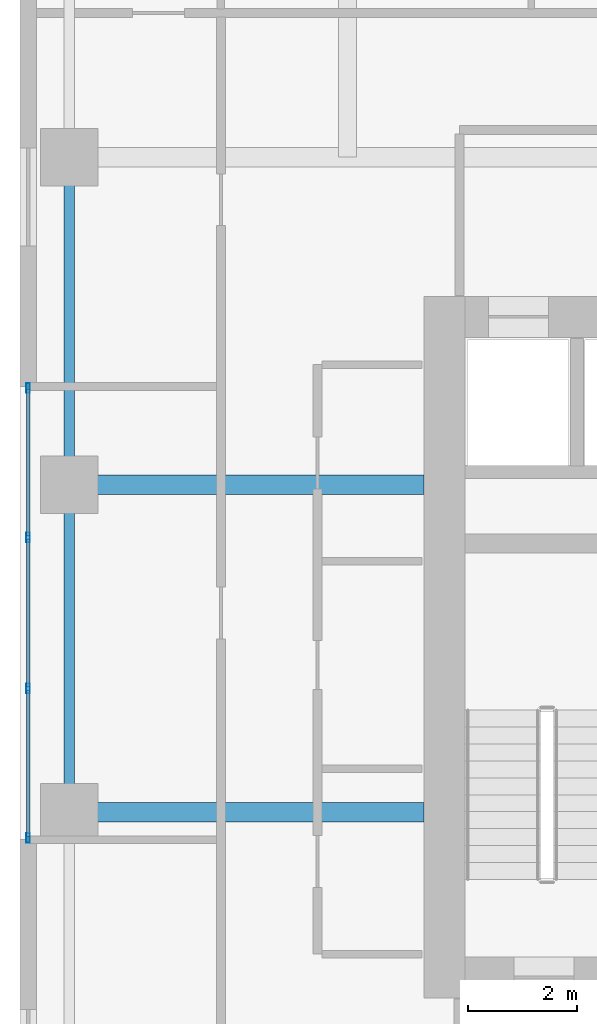
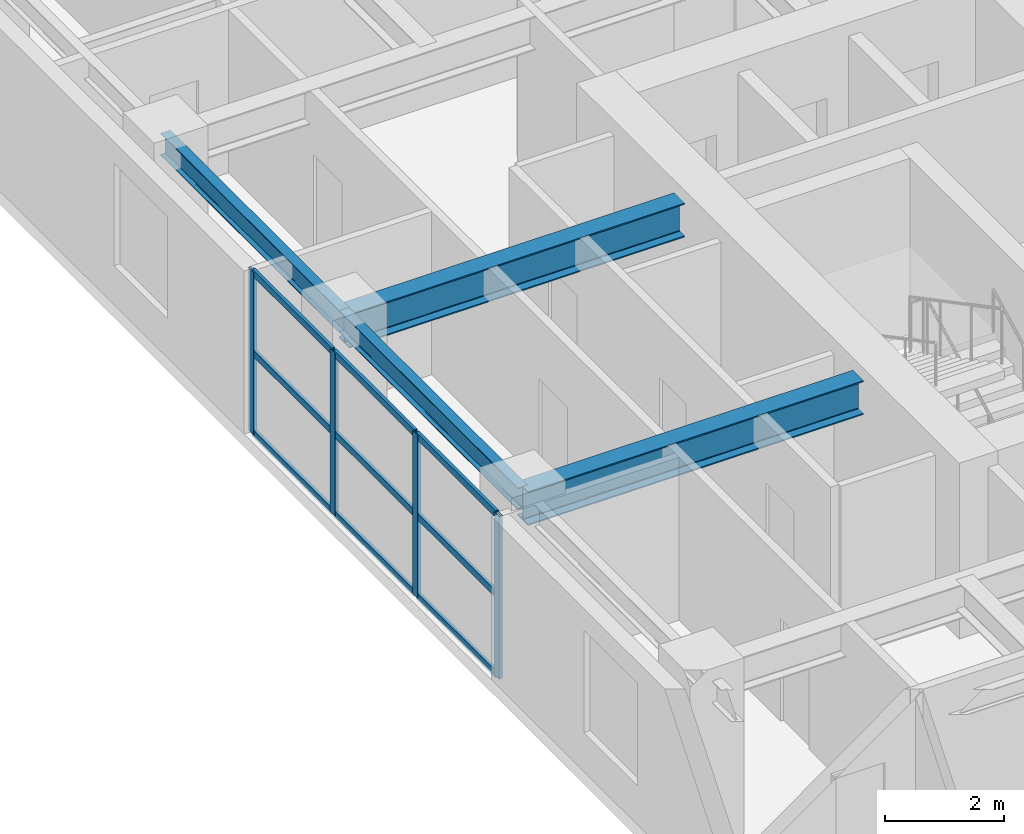
# One storey, part 2 of 13: 13 members, 4 beams, 1 element without a shape of its own.
"""IFC4 building model written with IfcOpenShell, lengths in metres."""

from ifc_helpers import new_model, si_unit, direction, frame, origin, origin_2d, place, context, subcontext, project, spatial, hollow_rectangle, i_section, extrude, source, transform, mapped, material, layer, layer_set, material_profile, profile_set, type_object, element, aggregate, save


model = new_model("IFC4")

# Units and contexts
model_context = context("Model", 3, precision=1e-05, world=origin(), true_north=direction((0.0, 1.0)))
body_context = subcontext(model_context, "Body", "Model", "MODEL_VIEW")
ifc_project = project(units=[si_unit("LENGTHUNIT", "METRE"), si_unit("AREAUNIT", "SQUARE_METRE"), si_unit("VOLUMEUNIT", "CUBIC_METRE"), si_unit("PLANEANGLEUNIT", "RADIAN"), si_unit("MASSUNIT", "GRAM", prefix="KILO")], contexts=[model_context])

# Site, building, storey
site_placement = place(None, origin())
site = spatial("IfcSite", under=ifc_project, at=site_placement, CompositionType="ELEMENT")
building_placement = place(site_placement, origin())
building = spatial("IfcBuilding", under=site, at=building_placement, Name="Khoralis Quay Care Tower", CompositionType="ELEMENT")
storey_placement = place(building_placement, frame((0.0, 0.0, 87.300048828125)))
storey = spatial("IfcBuildingStorey", under=building, at=storey_placement, Name="L22", CompositionType="ELEMENT", Elevation=87.300048828125)

# Beams
ifc_material_1 = material(Name="Steel S355", Category="steel")
ifc_material_profile_1 = material_profile(ifc_material_1, i_section(OverallWidth=0.18994140625, OverallDepth=0.449951171875, WebThickness=0.009521484375, FlangeThickness=0.0146484375, FilletRadius=0.02099609375, at=origin_2d()), Name="Steel S355")
ifc_profile_set_1 = profile_set([ifc_material_profile_1], Name="Steel S355")
beam_type_1 = type_object("IfcBeamType", Name="BM-IPE450", PredefinedType="SPANDREL", material=ifc_profile_set_1)
shared_shape_1 = source(origin(), body_context, "Body", "SweptSolid", [
    extrude(i_section(OverallWidth=0.18994140625, OverallDepth=0.449951171875, WebThickness=0.009521484375, FlangeThickness=0.0146484375, FilletRadius=0.02099609375, at=origin_2d()), origin(), (0.0, 0.0, 1.0), 6.0),
])
for number, where, z_axis, x_axis, name in (
    (1, (0.89990234375, 18.0, 3.114990234375), (0.0, 1.0, 0.0), (-1.0, 0.0, 0.0), "BM-TSP-L22-13"),
    (2, (0.89990234375, 24.0, 3.114990234375), (0.0, 1.0, 0.0), (-1.0, 0.0, 0.0), "BM-TSP-L22-14"),
):
    element("IfcBeam", number, at=place(storey_placement, frame(where, z_axis=z_axis, x_axis=x_axis)), inside=storey, type_object=beam_type_1, Name=name, PredefinedType="SPANDREL", context=body_context, shape_type="MappedRepresentation", body=[
        mapped(shared_shape_1, transform((0.0, 0.0, 0.0), scale=1.0)),
    ])
ifc_material_profile_2 = material_profile(ifc_material_1, i_section(OverallWidth=0.35498046875, OverallDepth=0.695068359375, WebThickness=0.015380859375, FlangeThickness=0.02490234375, FilletRadius=0.02001953125, at=origin_2d()), Name="Steel S355")
ifc_profile_set_2 = profile_set([ifc_material_profile_2], Name="Steel S355")
beam_type_2 = type_object("IfcBeamType", Name="BM-W690X217", PredefinedType="BEAM", material=ifc_profile_set_2)
shared_shape_2 = source(origin(), body_context, "Body", "SweptSolid", [
    extrude(i_section(OverallWidth=0.35498046875, OverallDepth=0.695068359375, WebThickness=0.015380859375, FlangeThickness=0.02490234375, FilletRadius=0.02001953125, at=origin_2d()), origin(), (0.0, 0.0, 1.0), 6.502197265625),
])
for number, where, z_axis, x_axis, name in (
    (3, (0.89990234375, 18.0, 2.992431640625), (1.0, 0.0, 0.0), (0.0, 1.0, 0.0), "BM-TGXW-L22-180"),
    (4, (0.89990234375, 24.0, 2.992431640625), (1.0, 0.0, 0.0), (0.0, 1.0, 0.0), "BM-TGXW-L22-240"),
):
    element("IfcBeam", number, at=place(storey_placement, frame(where, z_axis=z_axis, x_axis=x_axis)), inside=storey, type_object=beam_type_2, Name=name, PredefinedType="BEAM", context=body_context, shape_type="MappedRepresentation", body=[
        mapped(shared_shape_2, transform((0.0, 0.0, 0.0), scale=1.0)),
    ])

# Curtain wall, members
ifc_material_2 = material(Name="Pale anodised aluminium", Category="aluminium")
ifc_layer = layer(ifc_material_2, 0.169921875)
ifc_layer_set = layer_set([ifc_layer], Name="Pale anodised aluminium")
curtain_wall_type = type_object("IfcCurtainWallType", Name="CW-SYS-Z2", PredefinedType="NOTDEFINED", material=ifc_layer_set)
curtain_wall_placement = place(storey_placement, origin())
curtain_wall = element("IfcCurtainWall", 5, at=curtain_wall_placement, inside=storey, type_object=curtain_wall_type, Name="L22 Unitised Curtain Wall CW-L22-P1-E15", PredefinedType="NOTDEFINED")
ifc_material_profile_3 = material_profile(ifc_material_2, hollow_rectangle(XDim=0.06005859375, YDim=0.139892578125, WallThickness=0.00390625, at=origin_2d()), Name="Pale anodised aluminium")
ifc_profile_set_3 = profile_set([ifc_material_profile_3], Name="Pale anodised aluminium")
member_type_1 = type_object("IfcMemberType", Name="CW-TRN-140", PredefinedType="USERDEFINED", material=ifc_profile_set_3)
shared_shape_3 = source(origin(), body_context, "Body", "SweptSolid", [
    extrude(hollow_rectangle(XDim=0.06005859375, YDim=0.139892578125, WallThickness=0.00390625, at=origin_2d()), origin(), (0.0, 0.0, 1.0), 2.6767578125),
])
member_1_placement = place(storey_placement, frame((0.14990234375, 25.739990234375, 0.030029296875), z_axis=(0.0, -1.0, 0.0), x_axis=(1.0, 0.0, 0.0)))
member_1 = element("IfcMember", 6, at=member_1_placement, type_object=member_type_1, Name="CW2 transom 1.1", ObjectType="TRANSOM", PredefinedType="USERDEFINED", context=body_context, shape_type="MappedRepresentation", body=[
    mapped(shared_shape_3, transform((0.0, 0.0, 0.0), scale=1.0)),
])
member_2_placement = place(storey_placement, frame((0.14990234375, 25.739990234375, 1.669921875), z_axis=(0.0, -1.0, 0.0), x_axis=(1.0, 0.0, 0.0)))
member_2 = element("IfcMember", 7, at=member_2_placement, type_object=member_type_1, Name="CW2 transom 1.2", ObjectType="TRANSOM", PredefinedType="USERDEFINED", context=body_context, shape_type="MappedRepresentation", body=[
    mapped(shared_shape_3, transform((0.0, 0.0, 0.0), scale=1.0)),
])
member_3_placement = place(storey_placement, frame((0.14990234375, 25.739990234375, 3.31005859375), z_axis=(0.0, -1.0, 0.0), x_axis=(1.0, 0.0, 0.0)))
member_3 = element("IfcMember", 8, at=member_3_placement, type_object=member_type_1, Name="CW2 transom 1.3", ObjectType="TRANSOM", PredefinedType="USERDEFINED", context=body_context, shape_type="MappedRepresentation", body=[
    mapped(shared_shape_3, transform((0.0, 0.0, 0.0), scale=1.0)),
])
shared_shape_4 = source(origin(), body_context, "Body", "SweptSolid", [
    extrude(hollow_rectangle(XDim=0.06005859375, YDim=0.139892578125, WallThickness=0.00390625, at=origin_2d()), origin(), (0.0, 0.0, 1.0), 2.676513671875),
])
member_4_placement = place(storey_placement, frame((0.14990234375, 20.236572265625, 0.030029296875), z_axis=(0.0, -1.0, 0.0), x_axis=(1.0, 0.0, 0.0)))
member_4 = element("IfcMember", 9, at=member_4_placement, type_object=member_type_1, Name="CW2 transom 3.1", ObjectType="TRANSOM", PredefinedType="USERDEFINED", context=body_context, shape_type="MappedRepresentation", body=[
    mapped(shared_shape_4, transform((0.0, 0.0, 0.0), scale=1.0)),
])
member_5_placement = place(storey_placement, frame((0.14990234375, 20.236572265625, 1.669921875), z_axis=(0.0, -1.0, 0.0), x_axis=(1.0, 0.0, 0.0)))
member_5 = element("IfcMember", 10, at=member_5_placement, type_object=member_type_1, Name="CW2 transom 3.2", ObjectType="TRANSOM", PredefinedType="USERDEFINED", context=body_context, shape_type="MappedRepresentation", body=[
    mapped(shared_shape_4, transform((0.0, 0.0, 0.0), scale=1.0)),
])
member_6_placement = place(storey_placement, frame((0.14990234375, 20.236572265625, 3.31005859375), z_axis=(0.0, -1.0, 0.0), x_axis=(1.0, 0.0, 0.0)))
member_6 = element("IfcMember", 11, at=member_6_placement, type_object=member_type_1, Name="CW2 transom 3.3", ObjectType="TRANSOM", PredefinedType="USERDEFINED", context=body_context, shape_type="MappedRepresentation", body=[
    mapped(shared_shape_4, transform((0.0, 0.0, 0.0), scale=1.0)),
])
ifc_material_profile_4 = material_profile(ifc_material_2, hollow_rectangle(XDim=0.06494140625, YDim=0.179931640625, WallThickness=0.00390625, at=origin_2d()), Name="Pale anodised aluminium")
ifc_profile_set_4 = profile_set([ifc_material_profile_4], Name="Pale anodised aluminium")
member_type_2 = type_object("IfcMemberType", Name="CW-MUL-180", PredefinedType="MULLION", material=ifc_profile_set_4)
shared_shape_5 = source(origin(), body_context, "Body", "SweptSolid", [
    extrude(hollow_rectangle(XDim=0.06494140625, YDim=0.179931640625, WallThickness=0.00390625, at=origin_2d()), origin(), (0.0, 0.0, 1.0), 3.33984375),
])
member_7_placement = place(storey_placement, frame((0.14990234375, 25.77001953125, 0.0), z_axis=(0.0, 0.0, 1.0), x_axis=(1.0, 0.0, 0.0)))
member_7 = element("IfcMember", 12, at=member_7_placement, type_object=member_type_2, Name="CW2 mullion 1", PredefinedType="MULLION", context=body_context, shape_type="MappedRepresentation", body=[
    mapped(shared_shape_5, transform((0.0, 0.0, 0.0), scale=1.0)),
])
member_8_placement = place(storey_placement, frame((0.14990234375, 23.033447265625, 0.0), z_axis=(0.0, 0.0, 1.0), x_axis=(1.0, 0.0, 0.0)))
member_8 = element("IfcMember", 13, at=member_8_placement, type_object=member_type_2, Name="CW2 mullion 2", PredefinedType="MULLION", context=body_context, shape_type="MappedRepresentation", body=[
    mapped(shared_shape_5, transform((0.0, 0.0, 0.0), scale=1.0)),
])
member_9_placement = place(storey_placement, frame((0.14990234375, 20.2666015625, 0.0), z_axis=(0.0, 0.0, 1.0), x_axis=(1.0, 0.0, 0.0)))
member_9 = element("IfcMember", 14, at=member_9_placement, type_object=member_type_2, Name="CW2 mullion 3", PredefinedType="MULLION", context=body_context, shape_type="MappedRepresentation", body=[
    mapped(shared_shape_5, transform((0.0, 0.0, 0.0), scale=1.0)),
])
member_10_placement = place(storey_placement, frame((0.14990234375, 17.530029296875, 0.0), z_axis=(0.0, 0.0, 1.0), x_axis=(1.0, 0.0, 0.0)))
member_10 = element("IfcMember", 15, at=member_10_placement, type_object=member_type_2, Name="CW2 mullion 4", PredefinedType="MULLION", context=body_context, shape_type="MappedRepresentation", body=[
    mapped(shared_shape_5, transform((0.0, 0.0, 0.0), scale=1.0)),
])
shared_shape_6 = source(origin(), body_context, "Body", "SweptSolid", [
    extrude(hollow_rectangle(XDim=0.06005859375, YDim=0.139892578125, WallThickness=0.00390625, at=origin_2d()), origin(), (0.0, 0.0, 1.0), 2.706787109375),
])
member_11_placement = place(storey_placement, frame((0.14990234375, 23.00341796875, 0.030029296875), z_axis=(0.0, -1.0, 0.0), x_axis=(1.0, 0.0, 0.0)))
member_11 = element("IfcMember", 16, at=member_11_placement, type_object=member_type_1, Name="CW2 transom 2.1", ObjectType="TRANSOM", PredefinedType="USERDEFINED", context=body_context, shape_type="MappedRepresentation", body=[
    mapped(shared_shape_6, transform((0.0, 0.0, 0.0), scale=1.0)),
])
member_12_placement = place(storey_placement, frame((0.14990234375, 23.00341796875, 1.669921875), z_axis=(0.0, -1.0, 0.0), x_axis=(1.0, 0.0, 0.0)))
member_12 = element("IfcMember", 17, at=member_12_placement, type_object=member_type_1, Name="CW2 transom 2.2", ObjectType="TRANSOM", PredefinedType="USERDEFINED", context=body_context, shape_type="MappedRepresentation", body=[
    mapped(shared_shape_6, transform((0.0, 0.0, 0.0), scale=1.0)),
])
member_13_placement = place(storey_placement, frame((0.14990234375, 23.00341796875, 3.31005859375), z_axis=(0.0, -1.0, 0.0), x_axis=(1.0, 0.0, 0.0)))
member_13 = element("IfcMember", 18, at=member_13_placement, type_object=member_type_1, Name="CW2 transom 2.3", ObjectType="TRANSOM", PredefinedType="USERDEFINED", context=body_context, shape_type="MappedRepresentation", body=[
    mapped(shared_shape_6, transform((0.0, 0.0, 0.0), scale=1.0)),
])
aggregate(curtain_wall, [member_7, member_8, member_9, member_10, member_1, member_2, member_3, member_11, member_12, member_13, member_4, member_5, member_6])

save(model, "model.ifc")
